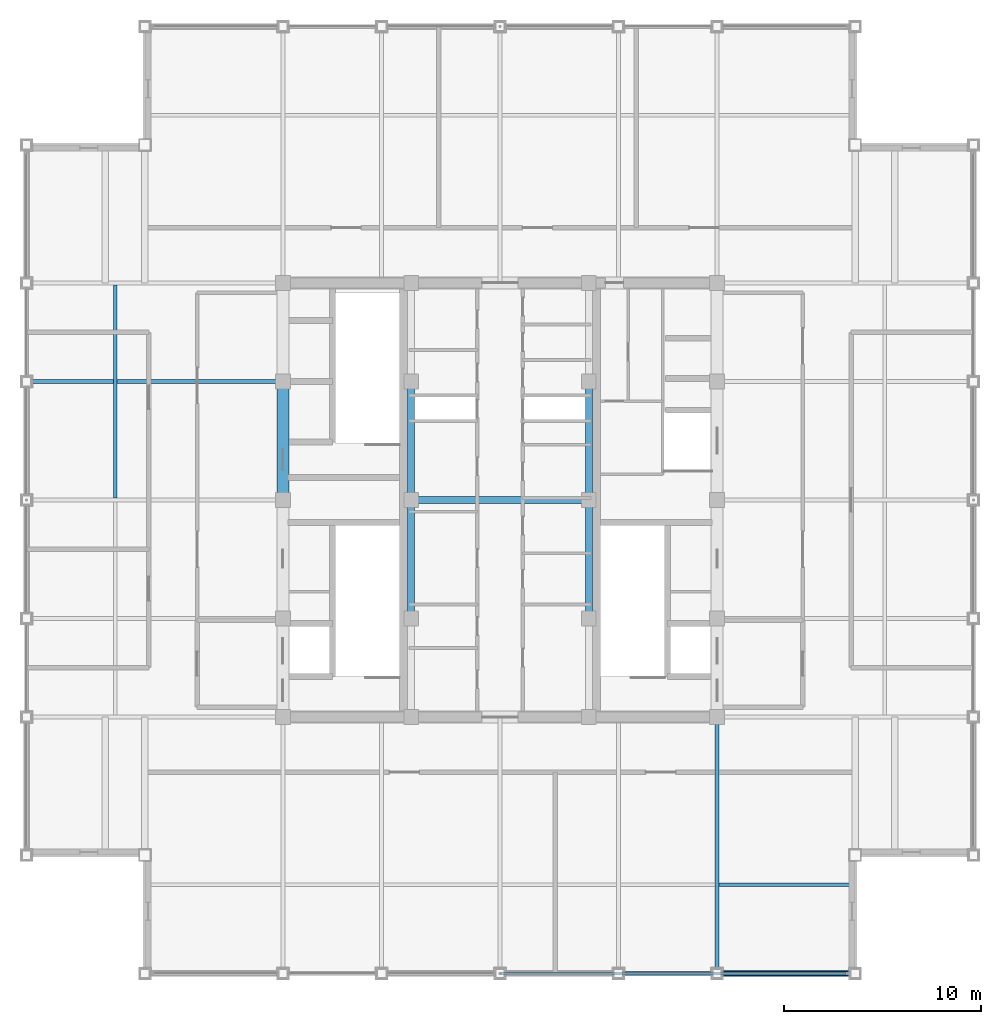
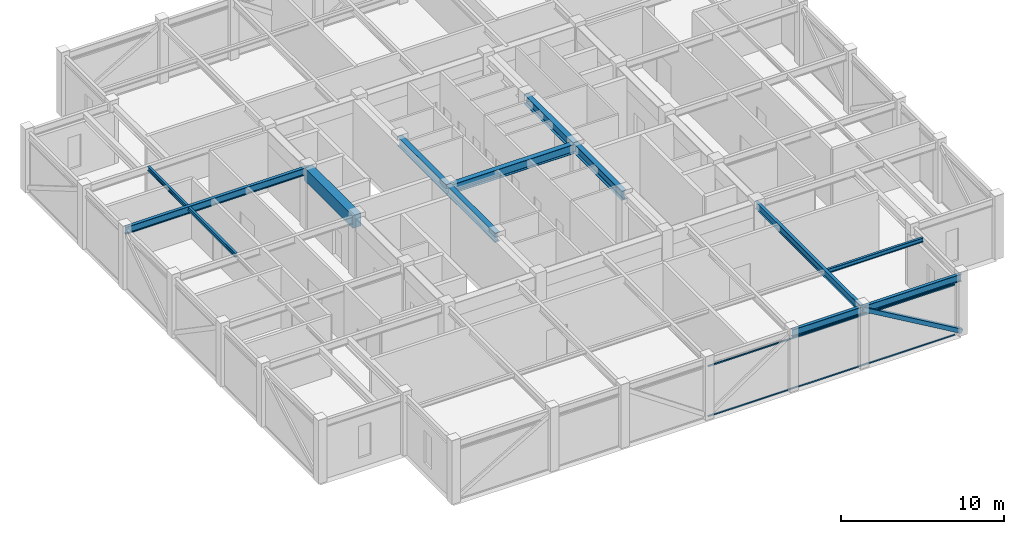
# One storey, part 7 of 27: 12 beams, 3 members, 1 element without a shape of its own.
"""IFC4 building model written with IfcOpenShell, lengths in metres."""

from ifc_helpers import new_model, si_unit, direction, frame, origin, origin_2d, place, context, subcontext, project, spatial, rectangle, hollow_rectangle, i_section, extrude, source, transform, mapped, material, material_profile, profile_set, type_object, element, aggregate, save


model = new_model("IFC4")

# Units and contexts
model_context = context("Model", 3, precision=1e-05, world=origin(), true_north=direction((0.0, 1.0)))
body_context = subcontext(model_context, "Body", "Model", "MODEL_VIEW")
ifc_project = project(units=[si_unit("LENGTHUNIT", "METRE"), si_unit("AREAUNIT", "SQUARE_METRE"), si_unit("VOLUMEUNIT", "CUBIC_METRE"), si_unit("PLANEANGLEUNIT", "RADIAN"), si_unit("MASSUNIT", "GRAM", prefix="KILO")], contexts=[model_context])

# Site, building, storey
site_placement = place(None, origin())
site = spatial("IfcSite", under=ifc_project, at=site_placement, CompositionType="ELEMENT")
building_placement = place(site_placement, origin())
building = spatial("IfcBuilding", under=site, at=building_placement, Name="Khorayat Bourse Tower", CompositionType="ELEMENT")
storey_placement = place(building_placement, frame((0.0, 0.0, 399.5)))
storey = spatial("IfcBuildingStorey", under=building, at=storey_placement, Name="L94", CompositionType="ELEMENT", Elevation=399.5)

# Beams
ifc_material_1 = material(Name="Steel ASTM A992 Grade 50", Category="steel")
ifc_material_profile_1 = material_profile(ifc_material_1, i_section(OverallWidth=0.35498046875, OverallDepth=0.695068359375, WebThickness=0.015380859375, FlangeThickness=0.02490234375, FilletRadius=0.01806640625, at=origin_2d()), Name="W690X217")
ifc_profile_set_1 = profile_set([ifc_material_profile_1], Name="Steel ASTM A992 Grade 50")
beam_type_1 = type_object("IfcBeamType", Name="BM-GIRD-690", PredefinedType="BEAM", material=ifc_profile_set_1)
shared_shape_1 = source(origin(), body_context, "Body", "SweptSolid", [
    extrude(i_section(OverallWidth=0.35498046875, OverallDepth=0.695068359375, WebThickness=0.015380859375, FlangeThickness=0.02490234375, FilletRadius=0.01806640625, at=origin_2d()), origin(), (0.0, 0.0, 1.0), 6.0),
])
for number, where, z_axis, x_axis, name in (
    (1, (-4.5, -6.0, 4.152587890625), (0.0, 1.0, 0.0), (-1.0, 0.0, 0.0), "L94 BM-GIRD-690 BM-L94-CRX-06"),
    (2, (-4.5, 0.0, 4.152587890625), (0.0, 1.0, 0.0), (-1.0, 0.0, 0.0), "L94 BM-GIRD-690 BM-L94-CRX-07"),
    (3, (4.5, -6.0, 4.152587890625), (0.0, 1.0, 0.0), (-1.0, 0.0, 0.0), "L94 BM-GIRD-690 BM-L94-CRX-10"),
    (4, (4.5, 0.0, 4.152587890625), (0.0, 1.0, 0.0), (-1.0, 0.0, 0.0), "L94 BM-GIRD-690 BM-L94-CRX-11"),
):
    element("IfcBeam", number, at=place(storey_placement, frame(where, z_axis=z_axis, x_axis=x_axis)), inside=storey, type_object=beam_type_1, Name=name, PredefinedType="BEAM", context=body_context, shape_type="MappedRepresentation", body=[
        mapped(shared_shape_1, transform((0.0, 0.0, 0.0), scale=1.0)),
    ])
shared_shape_2 = source(origin(), body_context, "Body", "SweptSolid", [
    extrude(i_section(OverallWidth=0.35498046875, OverallDepth=0.695068359375, WebThickness=0.015380859375, FlangeThickness=0.02490234375, FilletRadius=0.01806640625, at=origin_2d()), origin(), (0.0, 0.0, 1.0), 9.0),
])
beam_1_placement = place(storey_placement, frame((-4.5, 0.0, 4.152587890625), z_axis=(1.0, 0.0, 0.0), x_axis=(0.0, 1.0, 0.0)))
element("IfcBeam", 5, at=beam_1_placement, inside=storey, type_object=beam_type_1, Name="L94 BM-GIRD-690 BM-L94-CRY-23", PredefinedType="BEAM", context=body_context, shape_type="MappedRepresentation", body=[
    mapped(shared_shape_2, transform((0.0, 0.0, 0.0), scale=1.0)),
])
ifc_material_2 = material(Name="Concrete C60/75", Category="concrete")
ifc_material_profile_2 = material_profile(ifc_material_2, rectangle(XDim=0.60009765625, YDim=0.949951171875, at=origin_2d()), Name="RC 600x950")
ifc_profile_set_2 = profile_set([ifc_material_profile_2], Name="Concrete C60/75")
beam_type_2 = type_object("IfcBeamType", Name="BM-COUP-950", PredefinedType="BEAM", material=ifc_profile_set_2)
shared_shape_3 = source(origin(), body_context, "Body", "SweptSolid", [
    extrude(rectangle(XDim=0.60009765625, YDim=0.949951171875, at=origin_2d()), origin(), (0.0, 0.0, 1.0), 6.0),
])
beam_2_placement = place(storey_placement, frame((-11.0, 0.0, 4.02490234375), z_axis=(0.0, 1.0, 0.0), x_axis=(-1.0, 0.0, 0.0)))
element("IfcBeam", 6, at=beam_2_placement, inside=storey, type_object=beam_type_2, Name="L94 BM-COUP-950 BM-L94-CRX-03", PredefinedType="BEAM", context=body_context, shape_type="MappedRepresentation", body=[
    mapped(shared_shape_3, transform((0.0, 0.0, 0.0), scale=1.0)),
])
ifc_material_profile_3 = material_profile(ifc_material_1, i_section(OverallWidth=0.214111328125, OverallDepth=0.549072265625, WebThickness=0.0146484375, FlangeThickness=0.023681640625, FilletRadius=0.013916015625, at=origin_2d()), Name="W530X138")
ifc_profile_set_3 = profile_set([ifc_material_profile_3], Name="Steel ASTM A992 Grade 50")
beam_type_3 = type_object("IfcBeamType", Name="BM-SPAN-530", PredefinedType="SPANDREL", material=ifc_profile_set_3)
shared_shape_4 = source(origin(), body_context, "Body", "SweptSolid", [
    extrude(i_section(OverallWidth=0.214111328125, OverallDepth=0.549072265625, WebThickness=0.0146484375, FlangeThickness=0.023681640625, FilletRadius=0.013916015625, at=origin_2d()), origin(), (0.0, 0.0, 1.0), 5.0),
])
beam_3_placement = place(storey_placement, frame((6.0, -24.0, 4.2255859375), z_axis=(1.0, 0.0, 0.0), x_axis=(0.0, 1.0, 0.0)))
element("IfcBeam", 7, at=beam_3_placement, inside=storey, type_object=beam_type_3, Name="L94 BM-SPAN-530 BM-L94-SPN-028", PredefinedType="SPANDREL", context=body_context, shape_type="MappedRepresentation", body=[
    mapped(shared_shape_4, transform((0.0, 0.0, 0.0), scale=1.0)),
])
shared_shape_5 = source(origin(), body_context, "Body", "SweptSolid", [
    extrude(i_section(OverallWidth=0.214111328125, OverallDepth=0.549072265625, WebThickness=0.0146484375, FlangeThickness=0.023681640625, FilletRadius=0.013916015625, at=origin_2d()), origin(), (0.0, 0.0, 1.0), 7.0),
])
beam_4_placement = place(storey_placement, frame((11.0, -24.0, 4.2255859375), z_axis=(1.0, 0.0, 0.0), x_axis=(0.0, 1.0, 0.0)))
element("IfcBeam", 8, at=beam_4_placement, inside=storey, type_object=beam_type_3, Name="L94 BM-SPAN-530 BM-L94-SPN-029", PredefinedType="SPANDREL", context=body_context, shape_type="MappedRepresentation", body=[
    mapped(shared_shape_5, transform((0.0, 0.0, 0.0), scale=1.0)),
])
ifc_material_profile_4 = material_profile(ifc_material_1, i_section(OverallWidth=0.214111328125, OverallDepth=0.549072265625, WebThickness=0.0146484375, FlangeThickness=0.023681640625, FilletRadius=0.013916015625, at=origin_2d()), Name="W530X138")
ifc_profile_set_4 = profile_set([ifc_material_profile_4], Name="Steel ASTM A992 Grade 50")
beam_type_4 = type_object("IfcBeamType", Name="BM-GIRD-530", PredefinedType="BEAM", material=ifc_profile_set_4)
shared_shape_6 = source(origin(), body_context, "Body", "SweptSolid", [
    extrude(i_section(OverallWidth=0.214111328125, OverallDepth=0.549072265625, WebThickness=0.0146484375, FlangeThickness=0.023681640625, FilletRadius=0.013916015625, at=origin_2d()), origin(), (0.0, 0.0, 1.0), 13.0),
])
for number, where, z_axis, x_axis, name in (
    (9, (11.0, -24.0, 4.2255859375), (0.0, 1.0, 0.0), (-1.0, 0.0, 0.0), "L94 BM-GIRD-530 BM-L94-RADY-065"),
    (10, (-24.0, 6.0, 4.2255859375), (1.0, 0.0, 0.0), (0.0, 1.0, 0.0), "L94 BM-GIRD-530 BM-L94-RADX-073"),
):
    element("IfcBeam", number, at=place(storey_placement, frame(where, z_axis=z_axis, x_axis=x_axis)), inside=storey, type_object=beam_type_4, Name=name, PredefinedType="BEAM", context=body_context, shape_type="MappedRepresentation", body=[
        mapped(shared_shape_6, transform((0.0, 0.0, 0.0), scale=1.0)),
    ])
ifc_material_profile_5 = material_profile(ifc_material_1, i_section(OverallWidth=0.1669921875, OverallDepth=0.31689453125, WebThickness=0.007568359375, FlangeThickness=0.01318359375, FilletRadius=0.010009765625, at=origin_2d()), Name="W310X52")
ifc_profile_set_5 = profile_set([ifc_material_profile_5], Name="Steel ASTM A992 Grade 50")
beam_type_5 = type_object("IfcBeamType", Name="BM-JOIST-310", PredefinedType="JOIST", material=ifc_profile_set_5)
shared_shape_7 = source(origin(), body_context, "Body", "SweptSolid", [
    extrude(i_section(OverallWidth=0.1669921875, OverallDepth=0.31689453125, WebThickness=0.007568359375, FlangeThickness=0.01318359375, FilletRadius=0.010009765625, at=origin_2d()), origin(), (0.0, 0.0, 1.0), 6.81005859375),
])
beam_5_placement = place(storey_placement, frame((11.094970703125, -19.5, 4.341552734375), z_axis=(1.0, 0.0, 0.0), x_axis=(0.0, 1.0, 0.0)))
element("IfcBeam", 11, at=beam_5_placement, inside=storey, type_object=beam_type_5, Name="L94 BM-JOIST-310 BM-L94-JSTX-086", PredefinedType="JOIST", context=body_context, shape_type="MappedRepresentation", body=[
    mapped(shared_shape_7, transform((0.0, 0.0, 0.0), scale=1.0)),
])
shared_shape_8 = source(origin(), body_context, "Body", "SweptSolid", [
    extrude(i_section(OverallWidth=0.1669921875, OverallDepth=0.31689453125, WebThickness=0.007568359375, FlangeThickness=0.01318359375, FilletRadius=0.010009765625, at=origin_2d()), origin(), (0.0, 0.0, 1.0), 10.81005859375),
])
beam_6_placement = place(storey_placement, frame((-19.5, 0.094970703125, 4.341552734375), z_axis=(0.0, 1.0, 0.0), x_axis=(-1.0, 0.0, 0.0)))
element("IfcBeam", 12, at=beam_6_placement, inside=storey, type_object=beam_type_5, Name="L94 BM-JOIST-310 BM-L94-JSTY-091", PredefinedType="JOIST", context=body_context, shape_type="MappedRepresentation", body=[
    mapped(shared_shape_8, transform((0.0, 0.0, 0.0), scale=1.0)),
])

# Member
ifc_material_3 = material(Name="Steel EN 10025-2 S355J2", Category="steel")
ifc_material_profile_6 = material_profile(ifc_material_3, hollow_rectangle(XDim=0.300048828125, YDim=0.300048828125, WallThickness=0.01611328125, at=origin_2d()), Name="HSS 300x300x16")
ifc_profile_set_6 = profile_set([ifc_material_profile_6], Name="Steel EN 10025-2 S355J2")
member_type_1 = type_object("IfcMemberType", Name="MBR-CROWN-300", PredefinedType="USERDEFINED", material=ifc_profile_set_6)
shared_shape_9 = source(origin(), body_context, "Body", "SweptSolid", [
    extrude(hollow_rectangle(XDim=0.300048828125, YDim=0.300048828125, WallThickness=0.01611328125, at=origin_2d()), origin(), (0.0, 0.0, 1.0), 8.1123046875),
])
member_1_placement = place(storey_placement, frame((11.0, -24.0, 4.300048828125), z_axis=(0.862878111278, 0.0, -0.505412074526), x_axis=(0.0, 1.0, 0.0)))
element("IfcMember", 13, at=member_1_placement, inside=storey, type_object=member_type_1, Name="L94 Lantern Crown Frame Member 04", ObjectType="CROWN FRAME", PredefinedType="USERDEFINED", context=body_context, shape_type="MappedRepresentation", body=[
    mapped(shared_shape_9, transform((0.0, 0.0, 0.0), scale=1.0)),
])

# Curtain wall, members
ifc_material_4 = material(Name="Aluminium EN AW-6063 T6", Category="aluminium")
curtain_wall_type = type_object("IfcCurtainWallType", Name="CW-SYS-07", PredefinedType="NOTDEFINED", material=ifc_material_4)
curtain_wall_placement = place(storey_placement, origin())
curtain_wall = element("IfcCurtainWall", 14, at=curtain_wall_placement, inside=storey, type_object=curtain_wall_type, Name="L94 Curtain Wall CW-L94-S1", PredefinedType="NOTDEFINED")
ifc_material_profile_7 = material_profile(ifc_material_4, hollow_rectangle(XDim=0.090087890625, YDim=0.090087890625, WallThickness=0.00390625, at=origin_2d()), Name="ALU 90x90x4")
ifc_profile_set_7 = profile_set([ifc_material_profile_7], Name="Aluminium EN AW-6063 T6")
member_type_2 = type_object("IfcMemberType", Name="CWT-HORZ-90", PredefinedType="USERDEFINED", material=ifc_profile_set_7)
shared_shape_10 = source(origin(), body_context, "Body", "SweptSolid", [
    extrude(hollow_rectangle(XDim=0.090087890625, YDim=0.090087890625, WallThickness=0.00390625, at=origin_2d()), origin(), (0.0, 0.0, 1.0), 17.5),
])
member_2_placement = place(storey_placement, frame((0.050048828125, -24.0, 0.044921875), z_axis=(1.0, 0.0, 0.0), x_axis=(0.0, 1.0, 0.0)))
member_2 = element("IfcMember", 15, at=member_2_placement, type_object=member_type_2, Name="CW-L94-S1 Horizontal Transom 2-1", ObjectType="TRANSOM", PredefinedType="USERDEFINED", context=body_context, shape_type="MappedRepresentation", body=[
    mapped(shared_shape_10, transform((0.0, 0.0, 0.0), scale=1.0)),
])
member_3_placement = place(storey_placement, frame((0.050048828125, -24.0, 3.804931640625), z_axis=(1.0, 0.0, 0.0), x_axis=(0.0, 1.0, 0.0)))
member_3 = element("IfcMember", 16, at=member_3_placement, type_object=member_type_2, Name="CW-L94-S1 Horizontal Transom 2-2", ObjectType="TRANSOM", PredefinedType="USERDEFINED", context=body_context, shape_type="MappedRepresentation", body=[
    mapped(shared_shape_10, transform((0.0, 0.0, 0.0), scale=1.0)),
])
aggregate(curtain_wall, [member_2, member_3])

save(model, "model.ifc")
